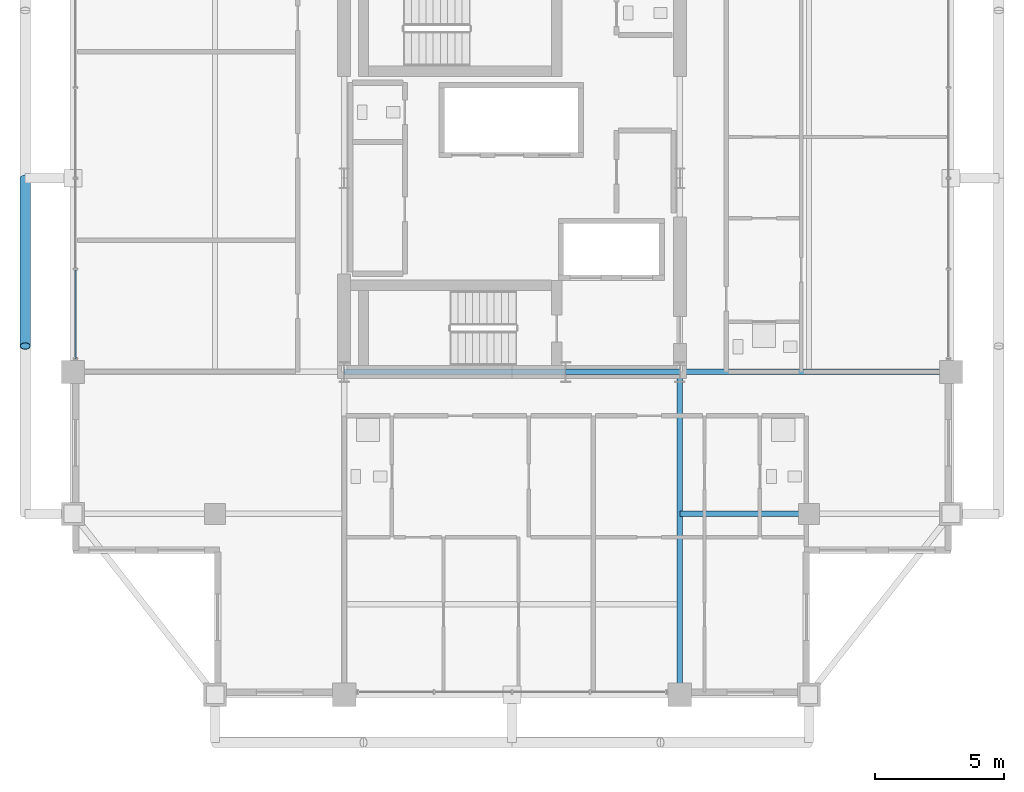
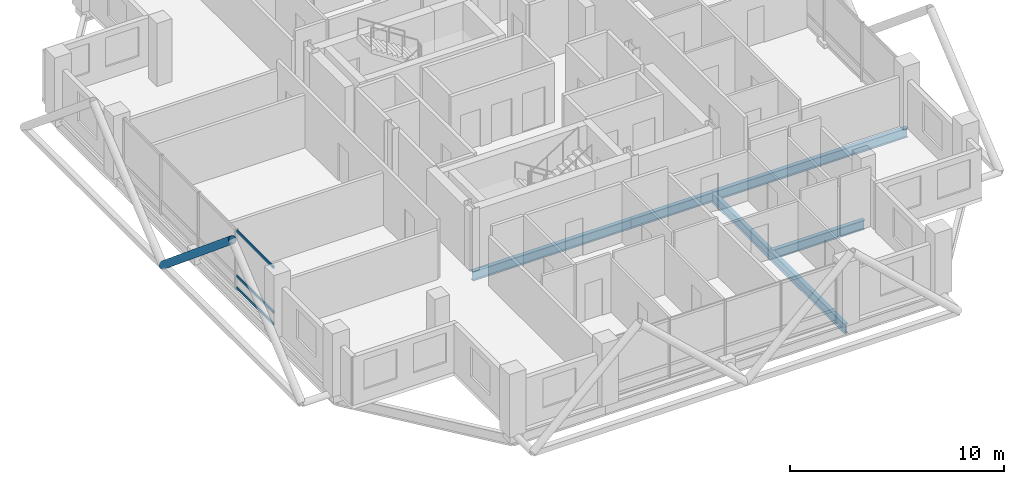
# One storey, part 7 of 24: 5 beams, 4 members, 1 element without a shape of its own.
"""IFC4 building model written with IfcOpenShell, lengths in metres."""

from ifc_helpers import new_model, si_unit, direction, frame, origin, origin_2d, place, context, subcontext, project, spatial, hollow_rectangle, hollow_circle, i_section, extrude, material, layer, layer_set, material_profile, profile_set, type_object, element, aggregate, save


model = new_model("IFC4")

# Units and contexts
model_context = context("Model", 3, precision=1e-05, world=origin(), true_north=direction((0.0, 1.0)))
body_context = subcontext(model_context, "Body", "Model", "MODEL_VIEW")
ifc_project = project(units=[si_unit("LENGTHUNIT", "METRE"), si_unit("AREAUNIT", "SQUARE_METRE"), si_unit("VOLUMEUNIT", "CUBIC_METRE"), si_unit("PLANEANGLEUNIT", "RADIAN"), si_unit("MASSUNIT", "GRAM", prefix="KILO")], contexts=[model_context])

# Site, building, storey
site_placement = place(None, origin())
site = spatial("IfcSite", under=ifc_project, at=site_placement, CompositionType="ELEMENT")
building_placement = place(site_placement, origin())
building = spatial("IfcBuilding", under=site, at=building_placement, Name="Barlavira Tower and Art Museum", CompositionType="ELEMENT")
storey_placement = place(building_placement, frame((0.0, 0.0, 240.300048828125)))
storey = spatial("IfcBuildingStorey", under=building, at=storey_placement, Name="L62", CompositionType="ELEMENT", Elevation=240.300048828125)

# Curtain wall, members
ifc_material_1 = material(Name="Low-iron coastal laminated glass", Category="glass")
ifc_layer = layer(ifc_material_1, 0.2099609375, Name="Low-iron coastal laminated glass")
ifc_layer_set = layer_set([ifc_layer], Name="Low-iron coastal laminated glass")
curtain_wall_type = type_object("IfcCurtainWallType", Name="Pale-Metal Unitised Curtain Wall Zone 4", PredefinedType="NOTDEFINED", material=ifc_layer_set)
curtain_wall_placement = place(storey_placement, origin())
curtain_wall = element("IfcCurtainWall", 1, at=curtain_wall_placement, inside=storey, type_object=curtain_wall_type, Name="L62 Curtain Wall CW4-L62-W-B3", PredefinedType="NOTDEFINED")
ifc_material_2 = material(Name="Pale anodised aluminium", Category="aluminium")
ifc_material_profile_1 = material_profile(ifc_material_2, hollow_rectangle(XDim=0.06494140625, YDim=0.139892578125, WallThickness=0.00390625, at=origin_2d()), Name="ALU-TRAN 65x140x4")
ifc_profile_set_1 = profile_set([ifc_material_profile_1], Name="Pale anodised aluminium")
member_type_1 = type_object("IfcMemberType", Name="Curtain Wall Pale-Metal Transom 65x140", PredefinedType="USERDEFINED", material=ifc_profile_set_1)
member_1_placement = place(storey_placement, frame((-16.89990234375, -3.56005859375, 0.070068359375), z_axis=(0.0, -1.0, 0.0), x_axis=(1.0, 0.0, 0.0)))
member_1 = element("IfcMember", 2, at=member_1_placement, type_object=member_type_1, Name="CW4-L62-W-B3 Transom 3.1", ObjectType="TRANSOM", PredefinedType="USERDEFINED", context=body_context, shape_type="SweptSolid", body=[
    extrude(hollow_rectangle(XDim=0.06494140625, YDim=0.139892578125, WallThickness=0.00390625, at=origin_2d()), origin(), (0.0, 0.0, 1.0), 3.425048828125),
])
member_2_placement = place(storey_placement, frame((-16.89990234375, -3.56005859375, 0.743896484375), z_axis=(0.0, -1.0, 0.0), x_axis=(1.0, 0.0, 0.0)))
member_2 = element("IfcMember", 3, at=member_2_placement, type_object=member_type_1, Name="CW4-L62-W-B3 Transom 3.2", ObjectType="TRANSOM", PredefinedType="USERDEFINED", context=body_context, shape_type="SweptSolid", body=[
    extrude(hollow_rectangle(XDim=0.06494140625, YDim=0.139892578125, WallThickness=0.00390625, at=origin_2d()), origin(), (0.0, 0.0, 1.0), 3.425048828125),
])
member_3_placement = place(storey_placement, frame((-16.89990234375, -3.56005859375, 3.31005859375), z_axis=(0.0, -1.0, 0.0), x_axis=(1.0, 0.0, 0.0)))
member_3 = element("IfcMember", 4, at=member_3_placement, type_object=member_type_1, Name="CW4-L62-W-B3 Transom 3.3", ObjectType="TRANSOM", PredefinedType="USERDEFINED", context=body_context, shape_type="SweptSolid", body=[
    extrude(hollow_rectangle(XDim=0.06494140625, YDim=0.139892578125, WallThickness=0.00390625, at=origin_2d()), origin(), (0.0, 0.0, 1.0), 3.425048828125),
])
aggregate(curtain_wall, [member_1, member_2, member_3])

# Member
ifc_material_3 = material(Name="Steel S355", Category="steel")
ifc_material_profile_2 = material_profile(ifc_material_3, hollow_circle(Radius=0.203125, WallThickness=0.01611328125, at=origin_2d()), Name="CHS 406.4x16.0")
ifc_profile_set_2 = profile_set([ifc_material_profile_2], Name="Steel S355")
member_type_2 = type_object("IfcMemberType", Name="Pale-Metal Exoskeleton Diagrid Tube CHS 406x16 Steel S355", PredefinedType="BRACE", material=ifc_profile_set_2)
member_4_placement = place(storey_placement, frame((-18.85009765625, 0.0, -0.1201171875), z_axis=(0.0, -0.76918185268, 0.639029950399), x_axis=(1.0, 0.0, 0.0)))
element("IfcMember", 5, at=member_4_placement, inside=storey, type_object=member_type_2, Name="L62 Exoskeleton Diagrid Tube W", PredefinedType="BRACE", context=body_context, shape_type="SweptSolid", body=[
    extrude(hollow_circle(Radius=0.203125, WallThickness=0.01611328125, at=origin_2d()), origin(), (0.0, 0.0, 1.0), 8.450439453125),
])

# Beams
ifc_material_profile_3 = material_profile(ifc_material_3, i_section(OverallWidth=0.2109375, OverallDepth=0.5390625, WebThickness=0.01171875, FlangeThickness=0.018798828125, at=origin_2d()), Name="W530x109.0")
ifc_profile_set_3 = profile_set([ifc_material_profile_3], Name="Steel S355")
beam_type = type_object("IfcBeamType", Name="Zone 3-4 Primary Floor Girder W530x109 Steel S355", PredefinedType="BEAM", material=ifc_profile_set_3)
beam_1_placement = place(storey_placement, frame((-6.5, -7.5, -0.489501953125), z_axis=(1.0, 0.0, 0.0), x_axis=(0.0, 1.0, 0.0)))
element("IfcBeam", 6, at=beam_1_placement, inside=storey, type_object=beam_type, Name="L62 Girder C-S1", PredefinedType="BEAM", context=body_context, shape_type="SweptSolid", body=[
    extrude(i_section(OverallWidth=0.2109375, OverallDepth=0.5390625, WebThickness=0.01171875, FlangeThickness=0.018798828125, at=origin_2d()), origin(), (0.0, 0.0, 1.0), 8.580078125),
])
beam_2_placement = place(storey_placement, frame((2.080078125, -7.5, -0.489501953125), z_axis=(1.0, 0.0, 0.0), x_axis=(0.0, 1.0, 0.0)))
element("IfcBeam", 7, at=beam_2_placement, inside=storey, type_object=beam_type, Name="L62 Girder C-S2", PredefinedType="BEAM", context=body_context, shape_type="SweptSolid", body=[
    extrude(i_section(OverallWidth=0.2109375, OverallDepth=0.5390625, WebThickness=0.01171875, FlangeThickness=0.018798828125, at=origin_2d()), origin(), (0.0, 0.0, 1.0), 4.419921875),
])
beam_3_placement = place(storey_placement, frame((6.5, -20.0, -0.489501953125), z_axis=(0.0, 1.0, 0.0), x_axis=(-1.0, 0.0, 0.0)))
element("IfcBeam", 8, at=beam_3_placement, inside=storey, type_object=beam_type, Name="L62 Girder R-S2", PredefinedType="BEAM", context=body_context, shape_type="SweptSolid", body=[
    extrude(i_section(OverallWidth=0.2109375, OverallDepth=0.5390625, WebThickness=0.01171875, FlangeThickness=0.018798828125, at=origin_2d()), origin(), (0.0, 0.0, 1.0), 12.5),
])
beam_4_placement = place(storey_placement, frame((6.5, -7.5, -0.489501953125), z_axis=(1.0, 0.0, 0.0), x_axis=(0.0, 1.0, 0.0)))
element("IfcBeam", 9, at=beam_4_placement, inside=storey, type_object=beam_type, Name="L62 Girder R-E1", PredefinedType="BEAM", context=body_context, shape_type="SweptSolid", body=[
    extrude(i_section(OverallWidth=0.2109375, OverallDepth=0.5390625, WebThickness=0.01171875, FlangeThickness=0.018798828125, at=origin_2d()), origin(), (0.0, 0.0, 1.0), 10.5),
])
beam_5_placement = place(storey_placement, frame((6.5, -13.0, -0.489501953125), z_axis=(1.0, 0.0, 0.0), x_axis=(0.0, 1.0, 0.0)))
element("IfcBeam", 10, at=beam_5_placement, inside=storey, type_object=beam_type, Name="L62 Girder I-S3", PredefinedType="BEAM", context=body_context, shape_type="SweptSolid", body=[
    extrude(i_section(OverallWidth=0.2109375, OverallDepth=0.5390625, WebThickness=0.01171875, FlangeThickness=0.018798828125, at=origin_2d()), origin(), (0.0, 0.0, 1.0), 5.0),
])

save(model, "model.ifc")
